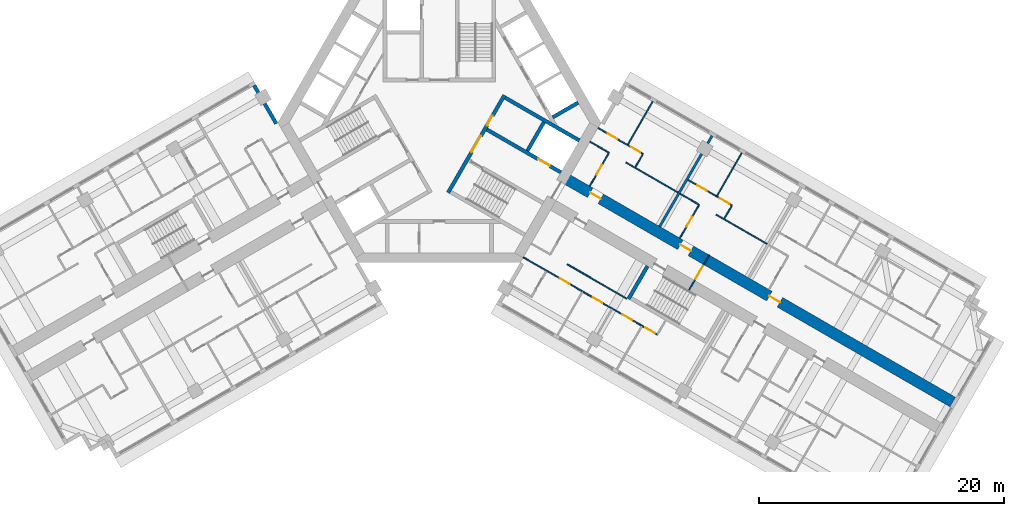
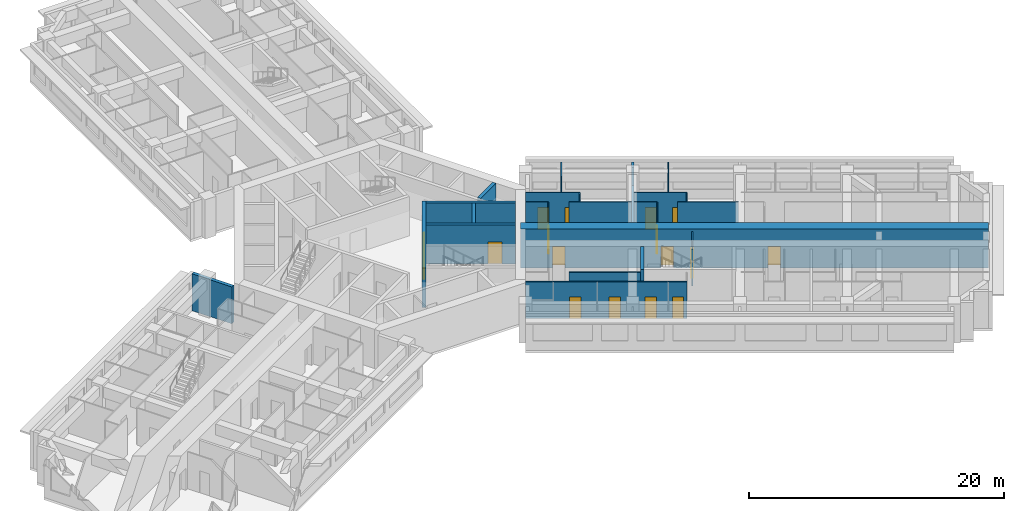
# One storey, part 7 of 14: 25 walls, 17 doors, 17 openings.
"""IFC4 building model written with IfcOpenShell, lengths in metres."""

from ifc_helpers import new_model, si_unit, direction, frame, frame_2d, origin, place, context, subcontext, project, spatial, rectangle, extrude, material, layer, layer_set, type_object, element, fill, save


model = new_model("IFC4")

# Units and contexts
model_context = context("Model", 3, precision=1e-05, world=origin(), true_north=direction((0.0, 1.0)))
body_context = subcontext(model_context, "Body", "Model", "MODEL_VIEW")
ifc_project = project(units=[si_unit("LENGTHUNIT", "METRE"), si_unit("AREAUNIT", "SQUARE_METRE"), si_unit("VOLUMEUNIT", "CUBIC_METRE"), si_unit("PLANEANGLEUNIT", "RADIAN"), si_unit("MASSUNIT", "GRAM", prefix="KILO")], contexts=[model_context])

# Site, building, storey
site_placement = place(None, origin())
site = spatial("IfcSite", under=ifc_project, at=site_placement, CompositionType="ELEMENT")
building_placement = place(site_placement, origin())
building = spatial("IfcBuilding", under=site, at=building_placement, Name="Impinga Residences", CompositionType="ELEMENT")
storey_placement = place(building_placement, frame((0.0, 0.0, 154.75)))
storey = spatial("IfcBuildingStorey", under=building, at=storey_placement, Name="L38", CompositionType="ELEMENT", Elevation=154.75)

# Wall, openings, doors
ifc_material_1 = material(Name="Concrete C60/75", Category="concrete")
ifc_layer_1 = layer(ifc_material_1, 0.89990234375)
ifc_layer_set_1 = layer_set([ifc_layer_1], Name="Concrete C60/75")
wall_type_1 = type_object("IfcWallType", Name="BW2 corridor buttress wall, L24 to L44 900", PredefinedType="SHEAR", material=ifc_layer_set_1)
wall_1_placement = place(storey_placement, frame((10.153564453125, -4.4765625, 0.0), z_axis=(0.0, 0.0, 1.0), x_axis=(0.866027614434, -0.499996171023, 0.0)))
wall_1 = element("IfcWall", 1, at=wall_1_placement, inside=storey, type_object=wall_type_1, Name="Corridor wall BW2 EC L38", PredefinedType="SHEAR", context=body_context, shape_type="SweptSolid", body=[
    extrude(rectangle(XDim=36.699951171875, YDim=0.89990234375, at=frame_2d((18.35009765625, 0.0))), origin(), (0.0, 0.0, 1.0), 3.75),
])
opening_1_placement = place(wall_1_placement, frame((2.5, 0.0, 0.0)))
opening_1 = element("IfcOpeningElement", 2, at=opening_1_placement, cuts=wall_1, Name="Opening D1", PredefinedType="OPENING", context=body_context, shape_type="SweptSolid", body=[
    extrude(rectangle(XDim=1.0, YDim=2.10009765625, at=frame_2d((0.5, 1.050048828125))), frame((0.0, 0.4599609375, 0.0), z_axis=(0.0, -1.0, 0.0), x_axis=(1.0, 0.0, 0.0)), (0.0, 0.0, 1.0), 0.919921875),
])
opening_2_placement = place(wall_1_placement, frame((11.0, 0.0, 0.0)))
opening_2 = element("IfcOpeningElement", 3, at=opening_2_placement, cuts=wall_1, Name="Opening D1", PredefinedType="OPENING", context=body_context, shape_type="SweptSolid", body=[
    extrude(rectangle(XDim=1.0, YDim=2.10009765625, at=frame_2d((0.5, 1.050048828125))), frame((0.0, 0.4599609375, 0.0), z_axis=(0.0, -1.0, 0.0), x_axis=(1.0, 0.0, 0.0)), (0.0, 0.0, 1.0), 0.919921875),
])
opening_3_placement = place(wall_1_placement, frame((19.39990234375, 0.0, 0.0)))
opening_3 = element("IfcOpeningElement", 4, at=opening_3_placement, cuts=wall_1, Name="Opening D1", PredefinedType="OPENING", context=body_context, shape_type="SweptSolid", body=[
    extrude(rectangle(XDim=1.0, YDim=2.10009765625, at=frame_2d((0.5, 1.050048828125))), frame((0.0, 0.4599609375, 0.0), z_axis=(0.0, -1.0, 0.0), x_axis=(1.0, 0.0, 0.0)), (0.0, 0.0, 1.0), 0.919921875),
])
ifc_material_2 = material(Name="Timber door set", Category="wood")
door_type_1 = type_object("IfcDoorType", Name="D1 apartment entrance door 1000x2100", OperationType="SINGLE_SWING_LEFT", PredefinedType="DOOR", material=ifc_material_2)
door_1_placement = place(opening_1_placement, origin())
door_1 = element("IfcDoor", 5, at=door_1_placement, inside=storey, type_object=door_type_1, Name="Apartment L38-EA1 entrance", OperationType="SINGLE_SWING_LEFT", OverallHeight=2.10009765625, OverallWidth=1.0, PredefinedType="DOOR", context=body_context, shape_type="SweptSolid", body=[
    extrude(rectangle(XDim=1.0, YDim=2.10009765625, at=frame_2d((0.5, 1.050048828125))), frame((0.0, 0.02490234375, 0.0), z_axis=(0.0, -1.0, 0.0), x_axis=(1.0, 0.0, 0.0)), (0.0, 0.0, 1.0), 0.050048828125),
])
fill(opening_1, door_1)
door_2_placement = place(opening_2_placement, origin())
door_2 = element("IfcDoor", 6, at=door_2_placement, inside=storey, type_object=door_type_1, Name="Apartment L38-EA2 entrance", OperationType="SINGLE_SWING_LEFT", OverallHeight=2.10009765625, OverallWidth=1.0, PredefinedType="DOOR", context=body_context, shape_type="SweptSolid", body=[
    extrude(rectangle(XDim=1.0, YDim=2.10009765625, at=frame_2d((0.5, 1.050048828125))), frame((0.0, 0.02490234375, 0.0), z_axis=(0.0, -1.0, 0.0), x_axis=(1.0, 0.0, 0.0)), (0.0, 0.0, 1.0), 0.050048828125),
])
fill(opening_2, door_2)
door_3_placement = place(opening_3_placement, origin())
door_3 = element("IfcDoor", 7, at=door_3_placement, inside=storey, type_object=door_type_1, Name="Apartment L38-EA3 entrance", OperationType="SINGLE_SWING_RIGHT", OverallHeight=2.10009765625, OverallWidth=1.0, PredefinedType="DOOR", context=body_context, shape_type="SweptSolid", body=[
    extrude(rectangle(XDim=1.0, YDim=2.10009765625, at=frame_2d((0.5, 1.050048828125))), frame((0.0, 0.02490234375, 0.0), z_axis=(0.0, -1.0, 0.0), x_axis=(1.0, 0.0, 0.0)), (0.0, 0.0, 1.0), 0.050048828125),
])
fill(opening_3, door_3)

# Wall, opening, door
ifc_material_3 = material(Name="Concrete blockwork", Category="masonry")
ifc_layer_2 = layer(ifc_material_3, 0.10009765625)
ifc_layer_set_2 = layer_set([ifc_layer_2], Name="CP1 core room partition, blockwork 100")
wall_type_2 = type_object("IfcWallType", Name="CP1 core room partition, blockwork 100", PredefinedType="PARTITIONING", material=ifc_layer_set_2)
wall_2_placement = place(storey_placement, frame((22.042724609375, -10.821044921875, 0.0), z_axis=(0.0, 0.0, 1.0), x_axis=(-0.50002983664, -0.866008176907, 0.0)))
wall_2 = element("IfcWall", 8, at=wall_2_placement, inside=storey, type_object=wall_type_2, Name="Core room partition, blockwork L38:E:SCR", PredefinedType="PARTITIONING", context=body_context, shape_type="SweptSolid", body=[
    extrude(rectangle(XDim=3.300048828125, YDim=0.10009765625, at=frame_2d((1.64990234375, 0.0))), origin(), (0.0, 0.0, 1.0), 3.530029296875),
])
opening_4_placement = place(wall_2_placement, frame((1.050048828125, 0.0, 0.0)))
opening_4 = element("IfcOpeningElement", 9, at=opening_4_placement, cuts=wall_2, Name="Opening D3", PredefinedType="OPENING", context=body_context, shape_type="SweptSolid", body=[
    extrude(rectangle(XDim=1.199951171875, YDim=2.10009765625, at=frame_2d((0.60009765625, 1.050048828125))), frame((0.0, 0.06005859375, 0.0), z_axis=(0.0, -1.0, 0.0), x_axis=(1.0, 0.0, 0.0)), (0.0, 0.0, 1.0), 0.1201171875),
])
door_type_2 = type_object("IfcDoorType", Name="D3 room door, leaf and a half 1200x2100", OperationType="DOUBLE_SWING_LEFT", PredefinedType="DOOR", material=ifc_material_2)
door_4_placement = place(opening_4_placement, origin())
door_4 = element("IfcDoor", 10, at=door_4_placement, inside=storey, type_object=door_type_2, Name="Corridor smoke door E", OperationType="DOUBLE_SWING_LEFT", OverallHeight=2.10009765625, OverallWidth=1.199951171875, PredefinedType="DOOR", context=body_context, shape_type="SweptSolid", body=[
    extrude(rectangle(XDim=1.199951171875, YDim=2.10009765625, at=frame_2d((0.60009765625, 1.050048828125))), frame((0.0, 0.02490234375, 0.0), z_axis=(0.0, -1.0, 0.0), x_axis=(1.0, 0.0, 0.0)), (0.0, 0.0, 1.0), 0.050048828125),
])
fill(opening_4, door_4)

# Walls
ifc_material_4 = material(Name="Terracotta rainscreen on blockwork", Category="masonry")
ifc_layer_3 = layer(ifc_material_4, 0.300048828125)
ifc_layer_set_3 = layer_set([ifc_layer_3], Name="EW1 external wall, terracotta rainscreen on blockwork 300")
wall_type_3 = type_object("IfcWallType", Name="EW1 external wall, terracotta rainscreen on blockwork 300", PredefinedType="SOLIDWALL", material=ifc_layer_set_3)
wall_3_placement = place(storey_placement, frame((-15.1298828125, 3.042724609375, 0.0), z_axis=(0.0, 0.0, 1.0), x_axis=(0.500012057535, -0.866018442252, 0.0)))
element("IfcWall", 11, at=wall_3_placement, inside=storey, type_object=wall_type_3, Name="External wall EW1 L38", PredefinedType="SOLIDWALL", context=body_context, shape_type="SweptSolid", body=[
    extrude(rectangle(XDim=3.60009765625, YDim=0.300048828125, at=frame_2d((1.800048828125, 0.0))), origin(), (0.0, 0.0, 1.0), 3.530029296875),
])
ifc_material_5 = material(Name="Gypsum board on steel studs", Category="steel")
ifc_layer_4 = layer(ifc_material_5, 0.10009765625)
ifc_layer_set_4 = layer_set([ifc_layer_4], Name="Gypsum board on steel studs")
wall_type_4 = type_object("IfcWallType", Name="IP1 partition 100", PredefinedType="PARTITIONING", material=ifc_layer_set_4)
wall_4_placement = place(storey_placement, frame((12.300048828125, -1.558837890625, 0.0), z_axis=(0.0, 0.0, 1.0), x_axis=(0.866047807691, -0.499961193289, 0.0)))
element("IfcWall", 12, at=wall_4_placement, inside=storey, type_object=wall_type_4, Name="Partition L38-EA1:DIV0", PredefinedType="PARTITIONING", context=body_context, shape_type="SweptSolid", body=[
    extrude(rectangle(XDim=1.800048828125, YDim=0.10009765625, at=frame_2d((0.89990234375, 0.0))), origin(), (0.0, 0.0, 1.0), 3.530029296875),
])
wall_5_placement = place(storey_placement, frame((15.244384765625, -3.2587890625, 0.0), z_axis=(0.0, 0.0, 1.0), x_axis=(0.866036242063, -0.49998122708, 0.0)))
element("IfcWall", 13, at=wall_5_placement, inside=storey, type_object=wall_type_4, Name="Partition L38-EA1:DIV1", PredefinedType="PARTITIONING", context=body_context, shape_type="SweptSolid", body=[
    extrude(rectangle(XDim=4.900146484375, YDim=0.10009765625, at=frame_2d((2.4501953125, 0.0))), origin(), (0.0, 0.0, 1.0), 3.530029296875),
])

# Wall, openings, doors
wall_6_placement = place(storey_placement, frame((12.949951171875, -0.43310546875, 0.0), z_axis=(0.0, 0.0, 1.0), x_axis=(0.866028703517, -0.499994284652, 0.0)))
wall_6 = element("IfcWall", 14, at=wall_6_placement, inside=storey, type_object=wall_type_4, Name="Partition L38-EA1:STRIP", PredefinedType="PARTITIONING", context=body_context, shape_type="SweptSolid", body=[
    extrude(rectangle(XDim=4.25, YDim=0.10009765625, at=frame_2d((2.125, 0.0))), origin(), (0.0, 0.0, 1.0), 3.530029296875),
])
opening_5_placement = place(wall_6_placement, frame((0.925048828125, 0.0, 0.0)))
opening_5 = element("IfcOpeningElement", 15, at=opening_5_placement, cuts=wall_6, Name="Opening D2", PredefinedType="OPENING", context=body_context, shape_type="SweptSolid", body=[
    extrude(rectangle(XDim=0.89990234375, YDim=2.10009765625, at=frame_2d((0.449951171875, 1.050048828125))), frame((0.0, 0.06005859375, 0.0), z_axis=(0.0, -1.0, 0.0), x_axis=(1.0, 0.0, 0.0)), (0.0, 0.0, 1.0), 0.1201171875),
])
opening_6_placement = place(wall_6_placement, frame((3.10009765625, 0.0, 0.0)))
opening_6 = element("IfcOpeningElement", 16, at=opening_6_placement, cuts=wall_6, Name="Opening D2", PredefinedType="OPENING", context=body_context, shape_type="SweptSolid", body=[
    extrude(rectangle(XDim=0.89990234375, YDim=2.10009765625, at=frame_2d((0.449951171875, 1.050048828125))), frame((0.0, 0.06005859375, 0.0), z_axis=(0.0, -1.0, 0.0), x_axis=(1.0, 0.0, 0.0)), (0.0, 0.0, 1.0), 0.1201171875),
])
door_type_3 = type_object("IfcDoorType", Name="D2 internal door 900x2100", OperationType="SINGLE_SWING_LEFT", PredefinedType="DOOR", material=ifc_material_2)
door_5_placement = place(opening_5_placement, origin())
door_5 = element("IfcDoor", 17, at=door_5_placement, inside=storey, type_object=door_type_3, Name="Apartment L38-EA1 room door", OperationType="SINGLE_SWING_LEFT", OverallHeight=2.10009765625, OverallWidth=0.89990234375, PredefinedType="DOOR", context=body_context, shape_type="SweptSolid", body=[
    extrude(rectangle(XDim=0.89990234375, YDim=2.10009765625, at=frame_2d((0.449951171875, 1.050048828125))), frame((0.0, 0.02490234375, 0.0), z_axis=(0.0, -1.0, 0.0), x_axis=(1.0, 0.0, 0.0)), (0.0, 0.0, 1.0), 0.050048828125),
])
fill(opening_5, door_5)
door_6_placement = place(opening_6_placement, origin())
door_6 = element("IfcDoor", 18, at=door_6_placement, inside=storey, type_object=door_type_3, Name="Apartment L38-EA1 room door", OperationType="SINGLE_SWING_RIGHT", OverallHeight=2.10009765625, OverallWidth=0.89990234375, PredefinedType="DOOR", context=body_context, shape_type="SweptSolid", body=[
    extrude(rectangle(XDim=0.89990234375, YDim=2.10009765625, at=frame_2d((0.449951171875, 1.050048828125))), frame((0.0, 0.02490234375, 0.0), z_axis=(0.0, -1.0, 0.0), x_axis=(1.0, 0.0, 0.0)), (0.0, 0.0, 1.0), 0.050048828125),
])
fill(opening_6, door_6)

# Wall
wall_7_placement = place(storey_placement, frame((16.005615234375, -3.640625, 0.0), z_axis=(0.0, 0.0, 1.0), x_axis=(0.500033551112, 0.866006032174, 0.0)))
element("IfcWall", 19, at=wall_7_placement, inside=storey, type_object=wall_type_4, Name="Partition L38-EA1:SE1", PredefinedType="PARTITIONING", context=body_context, shape_type="SweptSolid", body=[
    extrude(rectangle(XDim=1.2001953125, YDim=0.10009765625, at=frame_2d((0.60009765625, 0.0))), origin(), (0.0, 0.0, 1.0), 3.530029296875),
])

# Wall, opening, door
wall_8_placement = place(storey_placement, frame((12.283935546875, -5.186767578125, 0.0), z_axis=(0.0, 0.0, 1.0), x_axis=(0.499967891604, 0.866043940782, 0.0)))
wall_8 = element("IfcWall", 20, at=wall_8_placement, inside=storey, type_object=wall_type_4, Name="Partition L38-EA1:IB1", PredefinedType="PARTITIONING", context=body_context, shape_type="SweptSolid", body=[
    extrude(rectangle(XDim=3.099853515625, YDim=0.10009765625, at=frame_2d((1.5498046875, 0.0))), origin(), (0.0, 0.0, 1.0), 3.530029296875),
])
opening_7_placement = place(wall_8_placement, frame((1.10009765625, 0.0, 0.0)))
opening_7 = element("IfcOpeningElement", 21, at=opening_7_placement, cuts=wall_8, Name="Opening D2", PredefinedType="OPENING", context=body_context, shape_type="SweptSolid", body=[
    extrude(rectangle(XDim=0.89990234375, YDim=2.10009765625, at=frame_2d((0.449951171875, 1.050048828125))), frame((0.0, 0.06005859375, 0.0), z_axis=(0.0, -1.0, 0.0), x_axis=(1.0, 0.0, 0.0)), (0.0, 0.0, 1.0), 0.1201171875),
])
door_7_placement = place(opening_7_placement, origin())
door_7 = element("IfcDoor", 22, at=door_7_placement, inside=storey, type_object=door_type_3, Name="Apartment L38-EA1 bathroom door", OperationType="SINGLE_SWING_LEFT", OverallHeight=2.10009765625, OverallWidth=0.89990234375, PredefinedType="DOOR", context=body_context, shape_type="SweptSolid", body=[
    extrude(rectangle(XDim=0.89990234375, YDim=2.10009765625, at=frame_2d((0.449951171875, 1.050048828125))), frame((0.0, 0.02490234375, 0.0), z_axis=(0.0, -1.0, 0.0), x_axis=(1.0, 0.0, 0.0)), (0.0, 0.0, 1.0), 0.050048828125),
])
fill(opening_7, door_7)

# Walls
wall_9_placement = place(storey_placement, frame((15.39990234375, -1.789794921875, 0.0), z_axis=(0.0, 0.0, 1.0), x_axis=(0.499964223975, 0.866046058097, 0.0)))
element("IfcWall", 23, at=wall_9_placement, inside=storey, type_object=wall_type_4, Name="Partition L38-EA1:OB1", PredefinedType="PARTITIONING", context=body_context, shape_type="SweptSolid", body=[
    extrude(rectangle(XDim=4.050048828125, YDim=0.10009765625, at=frame_2d((2.02490234375, 0.0))), origin(), (0.0, 0.0, 1.0), 3.530029296875),
])
wall_10_placement = place(storey_placement, frame((19.6611328125, -5.808837890625, 0.0), z_axis=(0.0, 0.0, 1.0), x_axis=(0.866047807691, -0.499961193289, 0.0)))
element("IfcWall", 24, at=wall_10_placement, inside=storey, type_object=wall_type_4, Name="Partition L38-EA2:DIV0", PredefinedType="PARTITIONING", context=body_context, shape_type="SweptSolid", body=[
    extrude(rectangle(XDim=1.800048828125, YDim=0.10009765625, at=frame_2d((0.89990234375, 0.0))), origin(), (0.0, 0.0, 1.0), 3.530029296875),
])
wall_11_placement = place(storey_placement, frame((22.605712890625, -7.5087890625, 0.0), z_axis=(0.0, 0.0, 1.0), x_axis=(0.866015339567, -0.500017431331, 0.0)))
element("IfcWall", 25, at=wall_11_placement, inside=storey, type_object=wall_type_4, Name="Partition L38-EA2:DIV1", PredefinedType="PARTITIONING", context=body_context, shape_type="SweptSolid", body=[
    extrude(rectangle(XDim=4.800048828125, YDim=0.10009765625, at=frame_2d((2.39990234375, 0.0))), origin(), (0.0, 0.0, 1.0), 3.530029296875),
])

# Wall, openings, doors
wall_12_placement = place(storey_placement, frame((20.311279296875, -4.68310546875, 0.0), z_axis=(0.0, 0.0, 1.0), x_axis=(0.86602981871, -0.499992353047, 0.0)))
wall_12 = element("IfcWall", 26, at=wall_12_placement, inside=storey, type_object=wall_type_4, Name="Partition L38-EA2:STRIP", PredefinedType="PARTITIONING", context=body_context, shape_type="SweptSolid", body=[
    extrude(rectangle(XDim=4.14990234375, YDim=0.10009765625, at=frame_2d((2.074951171875, 0.0))), origin(), (0.0, 0.0, 1.0), 3.530029296875),
])
opening_8_placement = place(wall_12_placement, frame((0.875, 0.0, 0.0)))
opening_8 = element("IfcOpeningElement", 27, at=opening_8_placement, cuts=wall_12, Name="Opening D2", PredefinedType="OPENING", context=body_context, shape_type="SweptSolid", body=[
    extrude(rectangle(XDim=0.89990234375, YDim=2.10009765625, at=frame_2d((0.449951171875, 1.050048828125))), frame((0.0, 0.06005859375, 0.0), z_axis=(0.0, -1.0, 0.0), x_axis=(1.0, 0.0, 0.0)), (0.0, 0.0, 1.0), 0.1201171875),
])
opening_9_placement = place(wall_12_placement, frame((3.0, 0.0, 0.0)))
opening_9 = element("IfcOpeningElement", 28, at=opening_9_placement, cuts=wall_12, Name="Opening D2", PredefinedType="OPENING", context=body_context, shape_type="SweptSolid", body=[
    extrude(rectangle(XDim=0.89990234375, YDim=2.10009765625, at=frame_2d((0.449951171875, 1.050048828125))), frame((0.0, 0.06005859375, 0.0), z_axis=(0.0, -1.0, 0.0), x_axis=(1.0, 0.0, 0.0)), (0.0, 0.0, 1.0), 0.1201171875),
])
door_8_placement = place(opening_8_placement, origin())
door_8 = element("IfcDoor", 29, at=door_8_placement, inside=storey, type_object=door_type_3, Name="Apartment L38-EA2 room door", OperationType="SINGLE_SWING_LEFT", OverallHeight=2.10009765625, OverallWidth=0.89990234375, PredefinedType="DOOR", context=body_context, shape_type="SweptSolid", body=[
    extrude(rectangle(XDim=0.89990234375, YDim=2.10009765625, at=frame_2d((0.449951171875, 1.050048828125))), frame((0.0, 0.02490234375, 0.0), z_axis=(0.0, -1.0, 0.0), x_axis=(1.0, 0.0, 0.0)), (0.0, 0.0, 1.0), 0.050048828125),
])
fill(opening_8, door_8)
door_9_placement = place(opening_9_placement, origin())
door_9 = element("IfcDoor", 30, at=door_9_placement, inside=storey, type_object=door_type_3, Name="Apartment L38-EA2 room door", OperationType="SINGLE_SWING_RIGHT", OverallHeight=2.10009765625, OverallWidth=0.89990234375, PredefinedType="DOOR", context=body_context, shape_type="SweptSolid", body=[
    extrude(rectangle(XDim=0.89990234375, YDim=2.10009765625, at=frame_2d((0.449951171875, 1.050048828125))), frame((0.0, 0.02490234375, 0.0), z_axis=(0.0, -1.0, 0.0), x_axis=(1.0, 0.0, 0.0)), (0.0, 0.0, 1.0), 0.050048828125),
])
fill(opening_9, door_9)

# Wall
wall_13_placement = place(storey_placement, frame((23.2802734375, -7.840576171875, 0.0), z_axis=(0.0, 0.0, 1.0), x_axis=(0.499880961361, 0.866094119867, 0.0)))
element("IfcWall", 31, at=wall_13_placement, inside=storey, type_object=wall_type_4, Name="Partition L38-EA2:SE1", PredefinedType="PARTITIONING", context=body_context, shape_type="SweptSolid", body=[
    extrude(rectangle(XDim=1.199951171875, YDim=0.10009765625, at=frame_2d((0.60009765625, 0.0))), origin(), (0.0, 0.0, 1.0), 3.530029296875),
])

# Wall, opening, door
wall_14_placement = place(storey_placement, frame((19.64501953125, -9.436767578125, 0.0), z_axis=(0.0, 0.0, 1.0), x_axis=(0.500026960575, 0.86600983753, 0.0)))
wall_14 = element("IfcWall", 32, at=wall_14_placement, inside=storey, type_object=wall_type_4, Name="Partition L38-EA2:IB1", PredefinedType="PARTITIONING", context=body_context, shape_type="SweptSolid", body=[
    extrude(rectangle(XDim=3.099853515625, YDim=0.10009765625, at=frame_2d((1.5498046875, 0.0))), origin(), (0.0, 0.0, 1.0), 3.530029296875),
])
opening_10_placement = place(wall_14_placement, frame((1.10009765625, 0.0, 0.0)))
opening_10 = element("IfcOpeningElement", 33, at=opening_10_placement, cuts=wall_14, Name="Opening D2", PredefinedType="OPENING", context=body_context, shape_type="SweptSolid", body=[
    extrude(rectangle(XDim=0.89990234375, YDim=2.10009765625, at=frame_2d((0.449951171875, 1.050048828125))), frame((0.0, 0.06005859375, 0.0), z_axis=(0.0, -1.0, 0.0), x_axis=(1.0, 0.0, 0.0)), (0.0, 0.0, 1.0), 0.1201171875),
])
door_10_placement = place(opening_10_placement, origin())
door_10 = element("IfcDoor", 34, at=door_10_placement, inside=storey, type_object=door_type_3, Name="Apartment L38-EA2 bathroom door", OperationType="SINGLE_SWING_LEFT", OverallHeight=2.10009765625, OverallWidth=0.89990234375, PredefinedType="DOOR", context=body_context, shape_type="SweptSolid", body=[
    extrude(rectangle(XDim=0.89990234375, YDim=2.10009765625, at=frame_2d((0.449951171875, 1.050048828125))), frame((0.0, 0.02490234375, 0.0), z_axis=(0.0, -1.0, 0.0), x_axis=(1.0, 0.0, 0.0)), (0.0, 0.0, 1.0), 0.050048828125),
])
fill(opening_10, door_10)

# Walls
wall_15_placement = place(storey_placement, frame((22.674560546875, -5.98974609375, 0.0), z_axis=(0.0, 0.0, 1.0), x_axis=(0.499990325971, 0.866030989016, 0.0)))
element("IfcWall", 35, at=wall_15_placement, inside=storey, type_object=wall_type_4, Name="Partition L38-EA2:OB1", PredefinedType="PARTITIONING", context=body_context, shape_type="SweptSolid", body=[
    extrude(rectangle(XDim=4.0498046875, YDim=0.10009765625, at=frame_2d((2.02490234375, 0.0))), origin(), (0.0, 0.0, 1.0), 3.530029296875),
])
wall_16_placement = place(storey_placement, frame((10.444580078125, -11.57275390625, 0.0), z_axis=(0.0, 0.0, 1.0), x_axis=(0.866015695474, -0.500016814911, 0.0)))
element("IfcWall", 36, at=wall_16_placement, inside=storey, type_object=wall_type_4, Name="Partition L38-EF1:DIV1", PredefinedType="PARTITIONING", context=body_context, shape_type="SweptSolid", body=[
    extrude(rectangle(XDim=5.599853515625, YDim=0.10009765625, at=frame_2d((2.7998046875, 0.0))), origin(), (0.0, 0.0, 1.0), 3.530029296875),
])

# Wall, openings, doors
wall_17_placement = place(storey_placement, frame((6.85009765625, -10.99853515625, 0.0), z_axis=(0.0, 0.0, 1.0), x_axis=(0.866024244478, -0.500002007972, 0.0)))
wall_17 = element("IfcWall", 37, at=wall_17_placement, inside=storey, type_object=wall_type_4, Name="Partition L38-EF1:STRIP", PredefinedType="PARTITIONING", context=body_context, shape_type="SweptSolid", body=[
    extrude(rectangle(XDim=12.64990234375, YDim=0.10009765625, at=frame_2d((6.324951171875, 0.0))), origin(), (0.0, 0.0, 1.0), 3.530029296875),
])
opening_11_placement = place(wall_17_placement, frame((3.449951171875, 0.0, 0.0)))
opening_11 = element("IfcOpeningElement", 38, at=opening_11_placement, cuts=wall_17, Name="Opening D2", PredefinedType="OPENING", context=body_context, shape_type="SweptSolid", body=[
    extrude(rectangle(XDim=0.89990234375, YDim=2.10009765625, at=frame_2d((0.449951171875, 1.050048828125))), frame((0.0, 0.06005859375, 0.0), z_axis=(0.0, -1.0, 0.0), x_axis=(1.0, 0.0, 0.0)), (0.0, 0.0, 1.0), 0.1201171875),
])
opening_12_placement = place(wall_17_placement, frame((6.550048828125, 0.0, 0.0)))
opening_12 = element("IfcOpeningElement", 39, at=opening_12_placement, cuts=wall_17, Name="Opening D2", PredefinedType="OPENING", context=body_context, shape_type="SweptSolid", body=[
    extrude(rectangle(XDim=0.89990234375, YDim=2.10009765625, at=frame_2d((0.449951171875, 1.050048828125))), frame((0.0, 0.06005859375, 0.0), z_axis=(0.0, -1.0, 0.0), x_axis=(1.0, 0.0, 0.0)), (0.0, 0.0, 1.0), 0.1201171875),
])
opening_13_placement = place(wall_17_placement, frame((9.35009765625, 0.0, 0.0)))
opening_13 = element("IfcOpeningElement", 40, at=opening_13_placement, cuts=wall_17, Name="Opening D2", PredefinedType="OPENING", context=body_context, shape_type="SweptSolid", body=[
    extrude(rectangle(XDim=0.89990234375, YDim=2.10009765625, at=frame_2d((0.449951171875, 1.050048828125))), frame((0.0, 0.06005859375, 0.0), z_axis=(0.0, -1.0, 0.0), x_axis=(1.0, 0.0, 0.0)), (0.0, 0.0, 1.0), 0.1201171875),
])
opening_14_placement = place(wall_17_placement, frame((11.5, 0.0, 0.0)))
opening_14 = element("IfcOpeningElement", 41, at=opening_14_placement, cuts=wall_17, Name="Opening D2", PredefinedType="OPENING", context=body_context, shape_type="SweptSolid", body=[
    extrude(rectangle(XDim=0.89990234375, YDim=2.10009765625, at=frame_2d((0.449951171875, 1.050048828125))), frame((0.0, 0.06005859375, 0.0), z_axis=(0.0, -1.0, 0.0), x_axis=(1.0, 0.0, 0.0)), (0.0, 0.0, 1.0), 0.1201171875),
])
door_11_placement = place(opening_11_placement, origin())
door_11 = element("IfcDoor", 42, at=door_11_placement, inside=storey, type_object=door_type_3, Name="Apartment L38-EF1 room door", OperationType="SINGLE_SWING_LEFT", OverallHeight=2.10009765625, OverallWidth=0.89990234375, PredefinedType="DOOR", context=body_context, shape_type="SweptSolid", body=[
    extrude(rectangle(XDim=0.89990234375, YDim=2.10009765625, at=frame_2d((0.449951171875, 1.050048828125))), frame((0.0, 0.02490234375, 0.0), z_axis=(0.0, -1.0, 0.0), x_axis=(1.0, 0.0, 0.0)), (0.0, 0.0, 1.0), 0.050048828125),
])
fill(opening_11, door_11)
door_12_placement = place(opening_12_placement, origin())
door_12 = element("IfcDoor", 43, at=door_12_placement, inside=storey, type_object=door_type_3, Name="Apartment L38-EF1 room door", OperationType="SINGLE_SWING_RIGHT", OverallHeight=2.10009765625, OverallWidth=0.89990234375, PredefinedType="DOOR", context=body_context, shape_type="SweptSolid", body=[
    extrude(rectangle(XDim=0.89990234375, YDim=2.10009765625, at=frame_2d((0.449951171875, 1.050048828125))), frame((0.0, 0.02490234375, 0.0), z_axis=(0.0, -1.0, 0.0), x_axis=(1.0, 0.0, 0.0)), (0.0, 0.0, 1.0), 0.050048828125),
])
fill(opening_12, door_12)
door_13_placement = place(opening_13_placement, origin())
door_13 = element("IfcDoor", 44, at=door_13_placement, inside=storey, type_object=door_type_3, Name="Apartment L38-EF1 room door", OperationType="SINGLE_SWING_RIGHT", OverallHeight=2.10009765625, OverallWidth=0.89990234375, PredefinedType="DOOR", context=body_context, shape_type="SweptSolid", body=[
    extrude(rectangle(XDim=0.89990234375, YDim=2.10009765625, at=frame_2d((0.449951171875, 1.050048828125))), frame((0.0, 0.02490234375, 0.0), z_axis=(0.0, -1.0, 0.0), x_axis=(1.0, 0.0, 0.0)), (0.0, 0.0, 1.0), 0.050048828125),
])
fill(opening_13, door_13)
door_14_placement = place(opening_14_placement, origin())
door_14 = element("IfcDoor", 45, at=door_14_placement, inside=storey, type_object=door_type_3, Name="Apartment L38-EF1 room door", OperationType="SINGLE_SWING_RIGHT", OverallHeight=2.10009765625, OverallWidth=0.89990234375, PredefinedType="DOOR", context=body_context, shape_type="SweptSolid", body=[
    extrude(rectangle(XDim=0.89990234375, YDim=2.10009765625, at=frame_2d((0.449951171875, 1.050048828125))), frame((0.0, 0.02490234375, 0.0), z_axis=(0.0, -1.0, 0.0), x_axis=(1.0, 0.0, 0.0)), (0.0, 0.0, 1.0), 0.050048828125),
])
fill(opening_14, door_14)

# Walls
ifc_layer_5 = layer(ifc_material_3, 0.199951171875)
ifc_layer_set_5 = layer_set([ifc_layer_5], Name="PW1 party wall between apartments 200")
wall_type_5 = type_object("IfcWallType", Name="PW1 party wall between apartments 200", PredefinedType="SOLIDWALL", material=ifc_layer_set_5)
wall_18_placement = place(storey_placement, frame((17.99951171875, -8.48681640625, 0.0), z_axis=(0.0, 0.0, 1.0), x_axis=(0.499999086063, 0.866025931445, 0.0)))
element("IfcWall", 46, at=wall_18_placement, inside=storey, type_object=wall_type_5, Name="Party wall between apartments L38-EA1:PARTY", PredefinedType="SOLIDWALL", context=body_context, shape_type="SweptSolid", body=[
    extrude(rectangle(XDim=6.85009765625, YDim=0.199951171875, at=frame_2d((3.425048828125, 0.0))), origin(), (0.0, 0.0, 1.0), 2.47998046875),
])
wall_19_placement = place(storey_placement, frame((21.924560546875, -1.6884765625, 0.0), z_axis=(0.0, 0.0, 1.0), x_axis=(0.500114896893, 0.865959057869, 0.0)))
element("IfcWall", 47, at=wall_19_placement, inside=storey, type_object=wall_type_5, Name="Party wall between apartments L38-EA1:PARTYb", PredefinedType="SOLIDWALL", context=body_context, shape_type="SweptSolid", body=[
    extrude(rectangle(XDim=0.699951171875, YDim=0.199951171875, at=frame_2d((0.35009765625, 0.0))), origin(), (0.0, 0.0, 1.0), 3.530029296875),
])
ifc_layer_6 = layer(ifc_material_1, 0.300048828125)
ifc_layer_set_6 = layer_set([ifc_layer_6], Name="Concrete C60/75")
wall_type_6 = type_object("IfcWallType", Name="SE1 wing stair enclosure wall 300", PredefinedType="SOLIDWALL", material=ifc_layer_set_6)
wall_20_placement = place(storey_placement, frame((16.9990234375, -11.7197265625, 0.0), z_axis=(0.0, 0.0, 1.0), x_axis=(-0.499967891604, -0.866043940782, 0.0)))
element("IfcWall", 48, at=wall_20_placement, inside=storey, type_object=wall_type_6, Name="Stair enclosure wall SE1 E END0 L38", PredefinedType="SOLIDWALL", context=body_context, shape_type="SweptSolid", body=[
    extrude(rectangle(XDim=3.099853515625, YDim=0.300048828125, at=frame_2d((1.5498046875, 0.0))), origin(), (0.0, 0.0, 1.0), 3.75),
])

# Wall, openings, doors
ifc_material_6 = material(Name="Concrete C70/85", Category="concrete")
ifc_layer_7 = layer(ifc_material_6, 0.300048828125)
ifc_layer_set_7 = layer_set([ifc_layer_7], Name="Concrete C70/85")
wall_type_7 = type_object("IfcWallType", Name="SW5 core inner wall, stairs, shafts and lobbies 300", PredefinedType="SHEAR", material=ifc_layer_set_7)
wall_21_placement = place(storey_placement, frame((5.313720703125, 2.24365234375, 0.0), z_axis=(0.0, 0.0, 1.0), x_axis=(-0.499995050369, -0.866028261437, 0.0)))
wall_21 = element("IfcWall", 49, at=wall_21_placement, inside=storey, type_object=wall_type_7, Name="Core wall SW5 E:ZONE L38", PredefinedType="SHEAR", context=body_context, shape_type="SweptSolid", body=[
    extrude(rectangle(XDim=9.19970703125, YDim=0.300048828125, at=frame_2d((4.599853515625, 0.0))), origin(), (0.0, 0.0, 1.0), 3.75),
])
opening_15_placement = place(wall_21_placement, frame((3.85009765625, 0.0, 0.0)))
opening_15 = element("IfcOpeningElement", 50, at=opening_15_placement, cuts=wall_21, Name="Opening D4", PredefinedType="OPENING", context=body_context, shape_type="SweptSolid", body=[
    extrude(rectangle(XDim=1.5, YDim=2.10009765625, at=frame_2d((0.75, 1.050048828125))), frame((0.0, 0.159912109375, 0.0), z_axis=(0.0, -1.0, 0.0), x_axis=(1.0, 0.0, 0.0)), (0.0, 0.0, 1.0), 0.320068359375),
])
opening_16_placement = place(wall_21_placement, frame((1.949951171875, 0.0, 0.0)))
opening_16 = element("IfcOpeningElement", 51, at=opening_16_placement, cuts=wall_21, Name="Opening D6", PredefinedType="OPENING", context=body_context, shape_type="SweptSolid", body=[
    extrude(rectangle(XDim=0.89990234375, YDim=2.10009765625, at=frame_2d((0.449951171875, 1.050048828125))), frame((0.0, 0.159912109375, 0.0), z_axis=(0.0, -1.0, 0.0), x_axis=(1.0, 0.0, 0.0)), (0.0, 0.0, 1.0), 0.320068359375),
])
door_type_4 = type_object("IfcDoorType", Name="D4 lobby door pair 1500x2100", OperationType="DOUBLE_DOOR_DOUBLE_SWING", PredefinedType="DOOR", material=ifc_material_2)
door_15_placement = place(opening_15_placement, origin())
door_15 = element("IfcDoor", 52, at=door_15_placement, inside=storey, type_object=door_type_4, Name="Firefighting lobby door E", OperationType="DOUBLE_DOOR_DOUBLE_SWING", OverallHeight=2.10009765625, OverallWidth=1.5, PredefinedType="DOOR", context=body_context, shape_type="SweptSolid", body=[
    extrude(rectangle(XDim=1.5, YDim=2.10009765625, at=frame_2d((0.75, 1.050048828125))), frame((0.0, 0.02490234375, 0.0), z_axis=(0.0, -1.0, 0.0), x_axis=(1.0, 0.0, 0.0)), (0.0, 0.0, 1.0), 0.050048828125),
])
fill(opening_15, door_15)
door_type_5 = type_object("IfcDoorType", Name="D6 riser and store door 900x2100", OperationType="SINGLE_SWING_LEFT", PredefinedType="DOOR", material=ifc_material_2)
door_16_placement = place(opening_16_placement, origin())
door_16 = element("IfcDoor", 53, at=door_16_placement, inside=storey, type_object=door_type_5, Name="Riser door E", OperationType="SINGLE_SWING_LEFT", OverallHeight=2.10009765625, OverallWidth=0.89990234375, PredefinedType="DOOR", context=body_context, shape_type="SweptSolid", body=[
    extrude(rectangle(XDim=0.89990234375, YDim=2.10009765625, at=frame_2d((0.449951171875, 1.050048828125))), frame((0.0, 0.02490234375, 0.0), z_axis=(0.0, -1.0, 0.0), x_axis=(1.0, 0.0, 0.0)), (0.0, 0.0, 1.0), 0.050048828125),
])
fill(opening_16, door_16)

# Wall, opening, door
wall_22_placement = place(storey_placement, frame((3.86865234375, -0.559326171875, 0.0), z_axis=(0.0, 0.0, 1.0), x_axis=(0.866026480128, -0.499998135713, 0.0)))
wall_22 = element("IfcWall", 54, at=wall_22_placement, inside=storey, type_object=wall_type_7, Name="Core wall SW5 E:FF-IN L38", PredefinedType="SHEAR", context=body_context, shape_type="SweptSolid", body=[
    extrude(rectangle(XDim=7.00146484375, YDim=0.300048828125, at=frame_2d((3.500732421875, 0.0))), origin(), (0.0, 0.0, 1.0), 3.75),
])
opening_17_placement = place(wall_22_placement, frame((4.85009765625, 0.0, 0.0)))
opening_17 = element("IfcOpeningElement", 55, at=opening_17_placement, cuts=wall_22, Name="Opening LD2", PredefinedType="OPENING", context=body_context, shape_type="SweptSolid", body=[
    extrude(rectangle(XDim=1.10009765625, YDim=2.10009765625, at=frame_2d((0.550048828125, 1.050048828125))), frame((0.0, 0.159912109375, 0.0), z_axis=(0.0, -1.0, 0.0), x_axis=(1.0, 0.0, 0.0)), (0.0, 0.0, 1.0), 0.320068359375),
])
ifc_material_7 = material(Name="Steel lift landing door", Category="steel")
door_type_6 = type_object("IfcDoorType", Name="LD2 firefighting lift landing door 1100x2100", OperationType="DOUBLE_DOOR_SLIDING", PredefinedType="DOOR", material=ifc_material_7)
door_17_placement = place(opening_17_placement, origin())
door_17 = element("IfcDoor", 56, at=door_17_placement, inside=storey, type_object=door_type_6, Name="Firefighting lift landing door F3", OperationType="DOUBLE_DOOR_SLIDING", OverallHeight=2.10009765625, OverallWidth=1.10009765625, PredefinedType="DOOR", context=body_context, shape_type="SweptSolid", body=[
    extrude(rectangle(XDim=1.10009765625, YDim=2.10009765625, at=frame_2d((0.550048828125, 1.050048828125))), frame((0.0, 0.02490234375, 0.0), z_axis=(0.0, -1.0, 0.0), x_axis=(1.0, 0.0, 0.0)), (0.0, 0.0, 1.0), 0.050048828125),
])
fill(opening_17, door_17)

# Walls
wall_23_placement = place(storey_placement, frame((5.36865234375, 2.038818359375, 0.0), z_axis=(0.0, 0.0, 1.0), x_axis=(0.866026480128, -0.499998135713, 0.0)))
element("IfcWall", 57, at=wall_23_placement, inside=storey, type_object=wall_type_7, Name="Core wall SW5 E:FF-OUT L38", PredefinedType="SHEAR", context=body_context, shape_type="SweptSolid", body=[
    extrude(rectangle(XDim=7.00146484375, YDim=0.300048828125, at=frame_2d((3.500732421875, 0.0))), origin(), (0.0, 0.0, 1.0), 3.75),
])
wall_24_placement = place(storey_placement, frame((8.541259765625, 0.033935546875, 0.0), z_axis=(0.0, 0.0, 1.0), x_axis=(-0.50000943426, -0.866019956843, 0.0)))
element("IfcWall", 58, at=wall_24_placement, inside=storey, type_object=wall_type_7, Name="Core wall SW5 E:FF-RS L38", PredefinedType="SHEAR", context=body_context, shape_type="SweptSolid", body=[
    extrude(rectangle(XDim=2.7001953125, YDim=0.300048828125, at=frame_2d((1.35009765625, 0.0))), origin(), (0.0, 0.0, 1.0), 3.75),
])
wall_25_placement = place(storey_placement, frame((9.253662109375, 0.43505859375, 0.0), z_axis=(0.0, 0.0, 1.0), x_axis=(0.866006032174, 0.500033551112, 0.0)))
element("IfcWall", 59, at=wall_25_placement, inside=storey, type_object=wall_type_7, Name="Core wall SW5 W:BANK-R L38", PredefinedType="SHEAR", context=body_context, shape_type="SweptSolid", body=[
    extrude(rectangle(XDim=2.400146484375, YDim=0.300048828125, at=frame_2d((1.2001953125, 0.0))), origin(), (0.0, 0.0, 1.0), 3.75),
])

save(model, "model.ifc")
